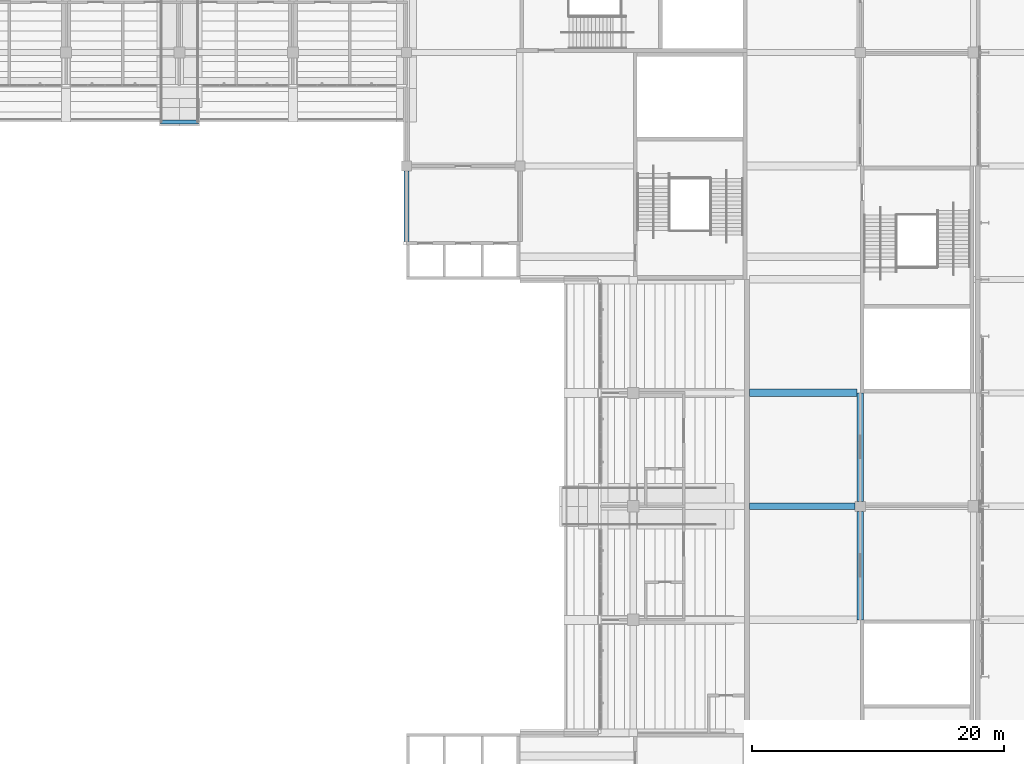
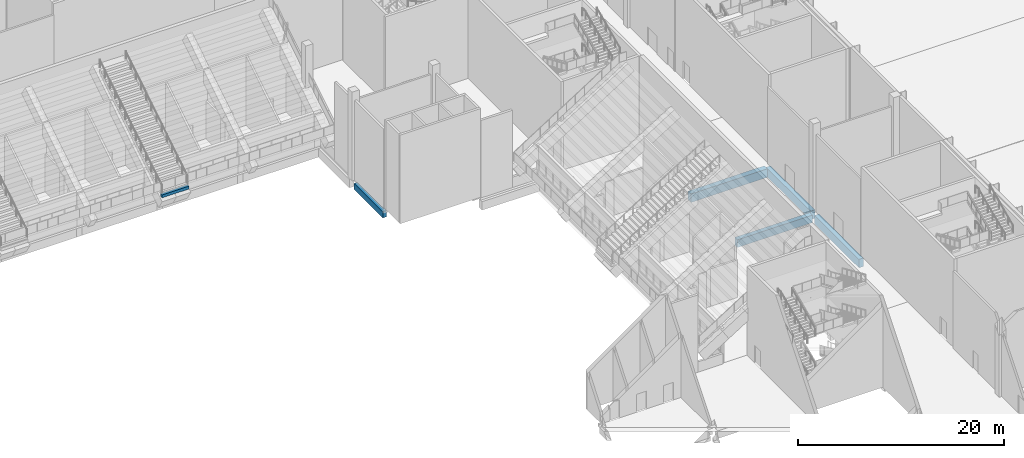
# One storey, part 49 of 182: 6 beams.
"""IFC4 building model written with IfcOpenShell, lengths in metres."""

from ifc_helpers import new_model, si_unit, direction, frame, origin, origin_2d, place, context, subcontext, project, spatial, rectangle, extrude, material, material_profile, profile_set, type_object, element, save


model = new_model("IFC4")

# Units and contexts
model_context = context("Model", 3, precision=1e-05, world=origin(), true_north=direction((0.0, 1.0)))
body_context = subcontext(model_context, "Body", "Model", "MODEL_VIEW")
ifc_project = project(units=[si_unit("LENGTHUNIT", "METRE"), si_unit("AREAUNIT", "SQUARE_METRE"), si_unit("VOLUMEUNIT", "CUBIC_METRE"), si_unit("PLANEANGLEUNIT", "RADIAN"), si_unit("MASSUNIT", "GRAM", prefix="KILO")], contexts=[model_context])

# Site, building, storey
site_placement = place(None, origin())
site = spatial("IfcSite", under=ifc_project, at=site_placement, CompositionType="ELEMENT")
building_placement = place(site_placement, origin())
building = spatial("IfcBuilding", under=site, at=building_placement, Name="Silverbay Arena", CompositionType="ELEMENT")
storey_placement = place(building_placement, frame((0.0, 0.0, 11.5)))
storey = spatial("IfcBuildingStorey", under=building, at=storey_placement, Name="L02", CompositionType="ELEMENT", Elevation=11.5)

# Beams
ifc_material_1 = material(Name="Concrete Grade C45", Category="concrete")
ifc_material_profile_1 = material_profile(ifc_material_1, rectangle(XDim=0.39990234375, YDim=0.699951171875, at=origin_2d()), Name="RC 400x700")
ifc_profile_set_1 = profile_set([ifc_material_profile_1], Name="Concrete Grade C45")
beam_type_1 = type_object("IfcBeamType", Name="RC beam 400x700", PredefinedType="BEAM", material=ifc_profile_set_1)
beam_1_placement = place(storey_placement, frame((162.0, 102.0, -0.699951171875), z_axis=(0.0, 1.0, 0.0), x_axis=(-1.0, 0.0, 0.0)))
element("IfcBeam", 1, at=beam_1_placement, inside=storey, type_object=beam_type_1, Name="Floor beam L02 297", PredefinedType="BEAM", context=body_context, shape_type="SweptSolid", body=[
    extrude(rectangle(XDim=0.39990234375, YDim=0.699951171875, at=origin_2d()), origin(), (0.0, 0.0, 1.0), 5.60009765625),
])
ifc_material_2 = material(Name="Concrete Grade C45", Category="concrete")
ifc_material_profile_2 = material_profile(ifc_material_2, rectangle(XDim=0.5, YDim=1.0, at=origin_2d()), Name="RC 500x1000")
ifc_profile_set_2 = profile_set([ifc_material_profile_2], Name="Concrete Grade C45")
beam_type_2 = type_object("IfcBeamType", Name="RC beam 500x1000", PredefinedType="BEAM", material=ifc_profile_set_2)
for number, where, z_axis, x_axis, name in (
    (2, (198.0, 72.0, -0.85009765625), (0.0, 1.0, 0.0), (-1.0, 0.0, 0.0), "Floor beam L02 318"),
    (3, (198.0, 81.39990234375, -0.85009765625), (0.0, 1.0, 0.0), (-1.0, 0.0, 0.0), "Floor beam L02 319"),
):
    element("IfcBeam", number, at=place(storey_placement, frame(where, z_axis=z_axis, x_axis=x_axis)), inside=storey, type_object=beam_type_2, Name=name, PredefinedType="BEAM", context=body_context, shape_type="SweptSolid", body=[
        extrude(rectangle(XDim=0.5, YDim=1.0, at=origin_2d()), origin(), (0.0, 0.0, 1.0), 8.60009765625),
    ])
ifc_material_3 = material(Name="Concrete Grade C45", Category="concrete")
ifc_material_profile_3 = material_profile(ifc_material_3, rectangle(XDim=0.5, YDim=0.89990234375, at=origin_2d()), Name="RC 500x900")
ifc_profile_set_3 = profile_set([ifc_material_profile_3], Name="Concrete Grade C45")
beam_type_3 = type_object("IfcBeamType", Name="RC beam 500x900", PredefinedType="BEAM", material=ifc_profile_set_3)
beam_2_placement = place(storey_placement, frame((189.199951171875, 81.0, -0.800048828125), z_axis=(1.0, 0.0, 0.0), x_axis=(0.0, 1.0, 0.0)))
element("IfcBeam", 4, at=beam_2_placement, inside=storey, type_object=beam_type_3, Name="Floor beam L02 093", PredefinedType="BEAM", context=body_context, shape_type="SweptSolid", body=[
    extrude(rectangle(XDim=0.5, YDim=0.89990234375, at=origin_2d()), origin(), (0.0, 0.0, 1.0), 8.400146484375),
])
ifc_material_4 = material(Name="Concrete Grade C45", Category="concrete")
ifc_material_profile_4 = material_profile(ifc_material_4, rectangle(XDim=0.60009765625, YDim=1.0, at=origin_2d()), Name="RC 600x1000")
ifc_profile_set_4 = profile_set([ifc_material_profile_4], Name="Concrete Grade C45")
beam_type_4 = type_object("IfcBeamType", Name="RC beam 600x1000", PredefinedType="BEAM", material=ifc_profile_set_4)
beam_3_placement = place(storey_placement, frame((189.199951171875, 90.0, -0.85009765625), z_axis=(1.0, 0.0, 0.0), x_axis=(0.0, 1.0, 0.0)))
element("IfcBeam", 5, at=beam_3_placement, inside=storey, type_object=beam_type_4, Name="Floor beam L02 106", PredefinedType="BEAM", context=body_context, shape_type="SweptSolid", body=[
    extrude(rectangle(XDim=0.60009765625, YDim=1.0, at=origin_2d()), origin(), (0.0, 0.0, 1.0), 8.550048828125),
])
ifc_material_5 = material(Name="Concrete Grade C45", Category="concrete")
ifc_material_profile_5 = material_profile(ifc_material_5, rectangle(XDim=0.300048828125, YDim=0.336181640625, at=origin_2d()), Name="RC 300x336")
ifc_profile_set_5 = profile_set([ifc_material_profile_5], Name="Concrete Grade C45")
beam_type_5 = type_object("IfcBeamType", Name="RC foot plinth 300x336", PredefinedType="BEAM", material=ifc_profile_set_5)
beam_4_placement = place(storey_placement, frame((142.5, 111.5, 2.581787109375), z_axis=(1.0, 0.0, 0.0), x_axis=(0.0, 1.0, 0.0)))
element("IfcBeam", 6, at=beam_4_placement, inside=storey, type_object=beam_type_5, Name="Foot plinth North upper 144", PredefinedType="BEAM", context=body_context, shape_type="SweptSolid", body=[
    extrude(rectangle(XDim=0.300048828125, YDim=0.336181640625, at=origin_2d()), origin(), (0.0, 0.0, 1.0), 3.0),
])

save(model, "model.ifc")
